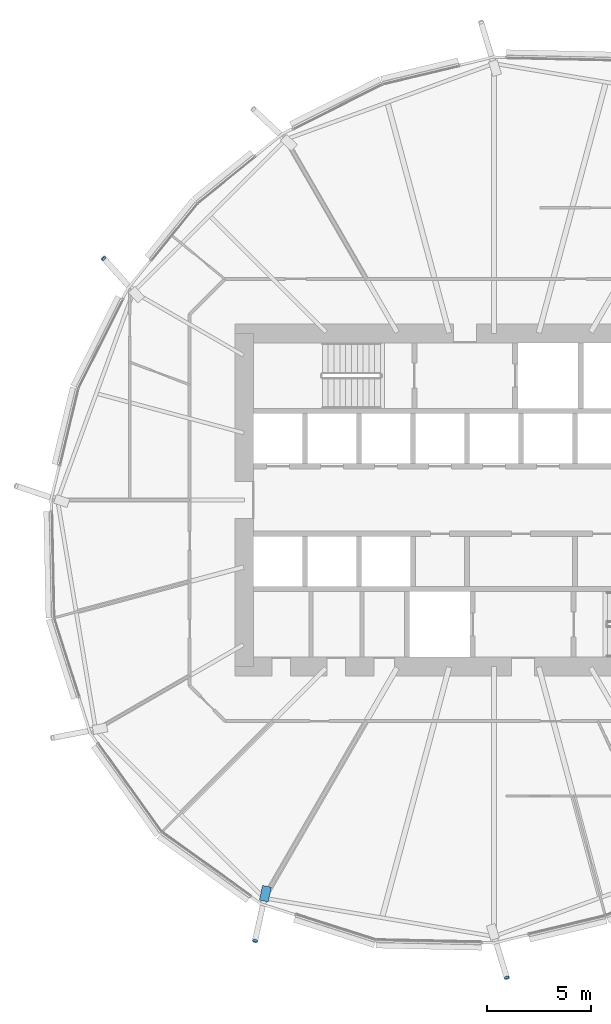
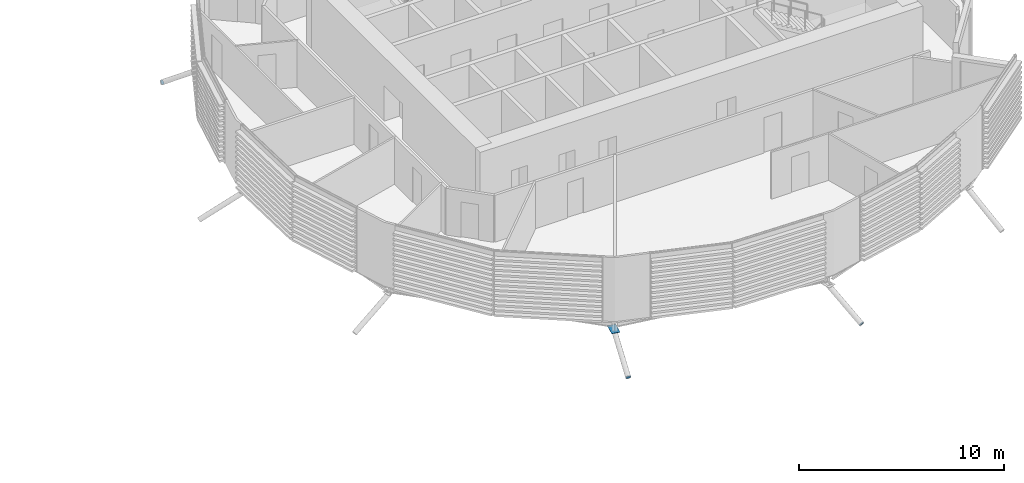
# One storey, part 30 of 37: 4 discrete accessories.
"""IFC4 building model written with IfcOpenShell, lengths in metres."""

from ifc_helpers import new_model, si_unit, direction, frame, origin, origin_2d, place, context, subcontext, project, spatial, polyline, rectangle, circle, outline, extrude, material, material_profile, profile_set, type_object, element, save


model = new_model("IFC4")

# Units and contexts
model_context = context("Model", 3, precision=1e-05, world=origin(), true_north=direction((0.0, 1.0)))
body_context = subcontext(model_context, "Body", "Model", "MODEL_VIEW")
ifc_project = project(units=[si_unit("LENGTHUNIT", "METRE"), si_unit("AREAUNIT", "SQUARE_METRE"), si_unit("VOLUMEUNIT", "CUBIC_METRE"), si_unit("PLANEANGLEUNIT", "RADIAN"), si_unit("MASSUNIT", "GRAM", prefix="KILO")], contexts=[model_context])

# Site, building, storey
site_placement = place(None, origin())
site = spatial("IfcSite", under=ifc_project, at=site_placement, CompositionType="ELEMENT")
building_placement = place(site_placement, origin())
building = spatial("IfcBuilding", under=site, at=building_placement, Name="Rimbun Link Towers", CompositionType="ELEMENT")
storey_placement = place(building_placement, frame((0.0, 0.0, 45.199951171875)))
storey = spatial("IfcBuildingStorey", under=building, at=storey_placement, Name="L10", CompositionType="ELEMENT", Elevation=45.199951171875)

# Discrete accessories
ifc_material_1 = material(Name="Steel S355J2H", Category="steel")
ifc_material_profile_1 = material_profile(ifc_material_1, circle(Radius=0.1240234375, at=origin_2d()), Name="PL D248")
ifc_profile_set_1 = profile_set([ifc_material_profile_1], Name="Steel S355J2H")
discrete_accessory_type_1 = type_object("IfcDiscreteAccessoryType", Name="Link foot sealing plate D248X20", PredefinedType="BRACKET", material=ifc_profile_set_1)
for number, where, z_axis, x_axis, name in (
    (1, (13.00341796875, 11.6025390625, -1.96826171875), (-0.571557956367, 0.632361994278, -0.522914726038), (-0.741873676582, -0.670539669218, 0.0), "Link foot sealing plate T2 L10 07"),
    (2, (20.271240234375, -21.1748046875, -2.15283203125), (-0.181821521087, -0.84850043174, -0.496978824305), (0.977802414077, -0.209529088731, 0.0), "Link foot sealing plate T2 L10 13"),
    (3, (32.3623046875, -22.943603515625, -2.149169921875), (0.257228578574, -0.832930635384, -0.489959197285), (0.955474691182, 0.295073066394, 0.0), "Link foot sealing plate T2 L10 15"),
):
    element("IfcDiscreteAccessory", number, at=place(storey_placement, frame(where, z_axis=z_axis, x_axis=x_axis)), inside=storey, type_object=discrete_accessory_type_1, Name=name, PredefinedType="BRACKET", context=body_context, shape_type="SweptSolid", body=[
        extrude(circle(Radius=0.1240234375, at=origin_2d()), origin(), (0.0, 0.0, 1.0), 0.02001953125),
    ])
ifc_material_2 = material(Name="Steel S355J2H", Category="steel")
ifc_material_profile_2 = material_profile(ifc_material_2, rectangle(XDim=0.43310546875, YDim=0.43310546875, at=origin_2d()), Name="PL 433x433")
ifc_profile_set_2 = profile_set([ifc_material_profile_2], Name="Steel S355J2H")
discrete_accessory_type_2 = type_object("IfcDiscreteAccessoryType", Name="Link head end plate 433X20", PredefinedType="BRACKET", material=ifc_profile_set_2)
discrete_accessory_placement = place(storey_placement, frame((0.0, 0.0, -0.863525390625)))
element("IfcDiscreteAccessory", 4, at=discrete_accessory_placement, inside=storey, type_object=discrete_accessory_type_2, Name="Link head end plate T2 L10 13", PredefinedType="BRACKET", context=body_context, shape_type="SweptSolid", body=[
    extrude(outline(polyline([(20.630126953125, -18.52197265625), (20.476318359375, -19.22509765625), (20.8994140625, -19.317626953125), (21.052978515625, -18.614501953125), (20.630126953125, -18.52197265625)])), origin(), (0.0, 0.0, 1.0), 0.02001953125),
])

save(model, "model.ifc")
